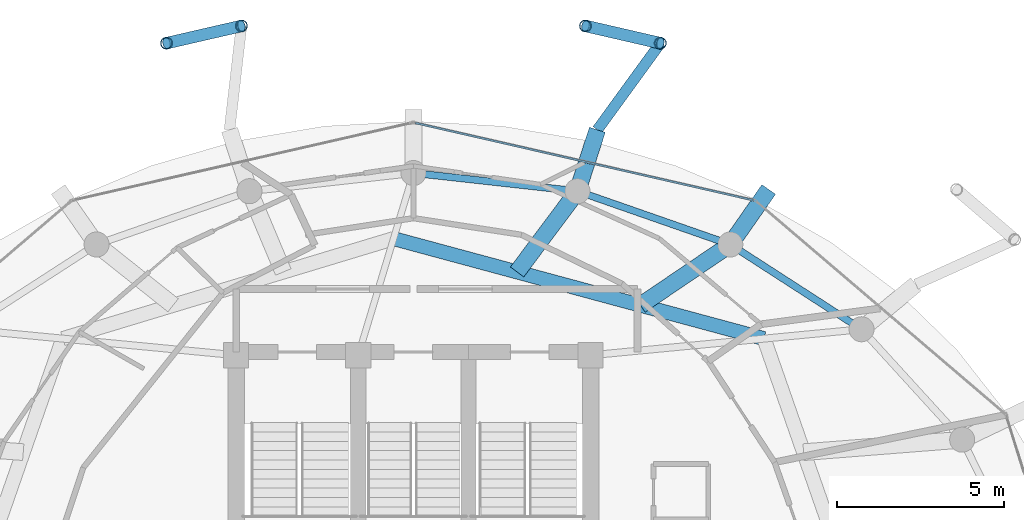
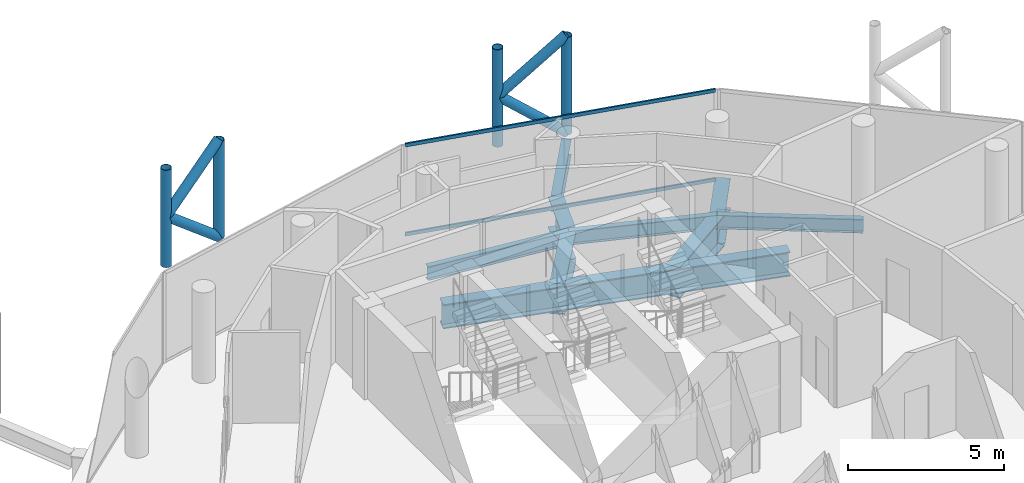
# One storey, part 18 of 25: 10 members, 9 beams, 1 element without a shape of its own.
"""IFC4 building model written with IfcOpenShell, lengths in metres."""

from ifc_helpers import new_model, si_unit, direction, frame, origin, origin_2d, place, context, subcontext, project, spatial, hollow_rectangle, hollow_circle, i_section, extrude, material, layer, layer_set, material_profile, profile_set, type_object, element, aggregate, save


model = new_model("IFC4")

# Units and contexts
model_context = context("Model", 3, precision=1e-05, world=origin(), true_north=direction((0.0, 1.0)))
body_context = subcontext(model_context, "Body", "Model", "MODEL_VIEW")
ifc_project = project(units=[si_unit("LENGTHUNIT", "METRE"), si_unit("AREAUNIT", "SQUARE_METRE"), si_unit("VOLUMEUNIT", "CUBIC_METRE"), si_unit("PLANEANGLEUNIT", "RADIAN"), si_unit("MASSUNIT", "GRAM", prefix="KILO")], contexts=[model_context])

# Site, building, storey
site_placement = place(None, origin())
site = spatial("IfcSite", under=ifc_project, at=site_placement, CompositionType="ELEMENT")
building_placement = place(site_placement, origin())
building = spatial("IfcBuilding", under=site, at=building_placement, Name="Nuhasar Tower", CompositionType="ELEMENT")
storey_placement = place(building_placement, frame((0.0, 0.0, 255.60009765625)))
storey = spatial("IfcBuildingStorey", under=building, at=storey_placement, Name="L63", CompositionType="ELEMENT", Elevation=255.60009765625)

# Beams
ifc_material_1 = material(Name="Steel S355", Category="steel")
ifc_material_profile_1 = material_profile(ifc_material_1, i_section(OverallWidth=0.2099609375, OverallDepth=0.537109375, WebThickness=0.010986328125, FlangeThickness=0.017333984375, at=origin_2d()), Name="W21X68")
ifc_profile_set_1 = profile_set([ifc_material_profile_1], Name="Steel S355")
beam_type_1 = type_object("IfcBeamType", Name="BM-RING-W21X68", PredefinedType="SPANDREL", material=ifc_profile_set_1)
beam_1_placement = place(storey_placement, frame((52.39990234375, 38.077880859375, -0.528076171875), z_axis=(-0.840001671147, 0.54258381147, 0.0), x_axis=(-0.54258381147, -0.840001671147, 0.0)))
element("IfcBeam", 1, at=beam_1_placement, inside=storey, type_object=beam_type_1, Name="L63 Perimeter Ring Spandrel 04", PredefinedType="SPANDREL", context=body_context, shape_type="SweptSolid", body=[
    extrude(i_section(OverallWidth=0.2099609375, OverallDepth=0.537109375, WebThickness=0.010986328125, FlangeThickness=0.017333984375, at=origin_2d()), origin(), (0.0, 0.0, 1.0), 4.67236328125),
])
beam_2_placement = place(storey_placement, frame((48.47509765625, 40.613037109375, -0.528076171875), z_axis=(-0.944214043504, 0.329332415729, 0.0), x_axis=(-0.329332415729, -0.944214043504, 0.0)))
element("IfcBeam", 2, at=beam_2_placement, inside=storey, type_object=beam_type_1, Name="L63 Perimeter Ring Spandrel 05", PredefinedType="SPANDREL", context=body_context, shape_type="SweptSolid", body=[
    extrude(i_section(OverallWidth=0.2099609375, OverallDepth=0.537109375, WebThickness=0.010986328125, FlangeThickness=0.017333984375, at=origin_2d()), origin(), (0.0, 0.0, 1.0), 4.840087890625),
])
beam_3_placement = place(storey_placement, frame((43.905029296875, 42.20703125, -0.528076171875), z_axis=(-0.99392889943, 0.110024283128, 0.0), x_axis=(-0.110024283128, -0.99392889943, 0.0)))
element("IfcBeam", 3, at=beam_3_placement, inside=storey, type_object=beam_type_1, Name="L63 Perimeter Ring Spandrel 06", PredefinedType="SPANDREL", context=body_context, shape_type="SweptSolid", body=[
    extrude(i_section(OverallWidth=0.2099609375, OverallDepth=0.537109375, WebThickness=0.010986328125, FlangeThickness=0.017333984375, at=origin_2d()), origin(), (0.0, 0.0, 1.0), 4.93505859375),
])
ifc_material_profile_2 = material_profile(ifc_material_1, i_section(OverallWidth=0.323974609375, OverallDepth=0.611083984375, WebThickness=0.0126953125, FlangeThickness=0.01904296875, at=origin_2d()), Name="W24X104")
ifc_profile_set_2 = profile_set([ifc_material_profile_2], Name="Steel S355")
beam_type_2 = type_object("IfcBeamType", Name="BM-TIE-W24X104", PredefinedType="BEAM", material=ifc_profile_set_2)
beam_4_placement = place(storey_placement, frame((44.5, 44.0419921875, -0.565185546875), z_axis=(0.588094663461, 0.808792103577, 0.0), x_axis=(-0.808792103577, 0.588094663461, 0.0)))
element("IfcBeam", 4, at=beam_4_placement, inside=storey, type_object=beam_type_2, Name="L63 Exoskeleton Node Tie Beam 03", PredefinedType="BEAM", context=body_context, shape_type="SweptSolid", body=[
    extrude(i_section(OverallWidth=0.323974609375, OverallDepth=0.611083984375, WebThickness=0.0126953125, FlangeThickness=0.01904296875, at=origin_2d()), origin(), (0.0, 0.0, 1.0), 3.20361328125),
])
ifc_material_2 = material(Name="Steel S460", Category="steel")
ifc_material_profile_3 = material_profile(ifc_material_2, i_section(OverallWidth=0.423095703125, OverallDepth=0.947998046875, WebThickness=0.02392578125, FlangeThickness=0.042724609375, at=origin_2d()), Name="W36X302")
ifc_profile_set_3 = profile_set([ifc_material_profile_3], Name="Steel S460")
beam_type_3 = type_object("IfcBeamType", Name="BM-TMD-W36X302", PredefinedType="USERDEFINED", material=ifc_profile_set_3)
beam_5_placement = place(storey_placement, frame((49.48388671875, 37.798095703125, -0.734130859375), z_axis=(-0.965451835482, 0.260581567584, 0.0), x_axis=(-0.260581567584, -0.965451835482, 0.0)))
element("IfcBeam", 5, at=beam_5_placement, inside=storey, type_object=beam_type_3, Name="L63 Inner Header Beam 05", ObjectType="GIRDER", PredefinedType="USERDEFINED", context=body_context, shape_type="SweptSolid", body=[
    extrude(i_section(OverallWidth=0.423095703125, OverallDepth=0.947998046875, WebThickness=0.02392578125, FlangeThickness=0.042724609375, at=origin_2d()), origin(), (0.0, 0.0, 1.0), 11.474365234375),
])
ifc_material_profile_4 = material_profile(ifc_material_2, i_section(OverallWidth=0.5, OverallDepth=1.199951171875, WebThickness=0.02587890625, FlangeThickness=0.044921875, at=origin_2d()), Name="PG1200X500")
ifc_profile_set_4 = profile_set([ifc_material_profile_4], Name="Steel S460")
beam_type_4 = type_object("IfcBeamType", Name="BM-XFER-PG1200", PredefinedType="USERDEFINED", material=ifc_profile_set_4)
beam_6_placement = place(storey_placement, frame((45.791015625, 38.794921875, -0.860107421875), z_axis=(0.82793786619, 0.56081983714, 0.0), x_axis=(-0.56081983714, 0.82793786619, 0.0)))
element("IfcBeam", 6, at=beam_6_placement, inside=storey, type_object=beam_type_4, Name="L63 Inner Column Transfer Girder 05", ObjectType="GIRDER", PredefinedType="USERDEFINED", context=body_context, shape_type="SweptSolid", body=[
    extrude(i_section(OverallWidth=0.5, OverallDepth=1.199951171875, WebThickness=0.02587890625, FlangeThickness=0.044921875, at=origin_2d()), origin(), (0.0, 0.0, 1.0), 3.241943359375),
])
beam_7_placement = place(storey_placement, frame((48.47509765625, 40.613037109375, -0.860107421875), z_axis=(0.57269500694, 0.819768521612, 0.0), x_axis=(-0.819768521612, 0.57269500694, 0.0)))
element("IfcBeam", 7, at=beam_7_placement, inside=storey, type_object=beam_type_4, Name="L63 Outer Column Step Transfer Girder 05", ObjectType="GIRDER", PredefinedType="USERDEFINED", context=body_context, shape_type="SweptSolid", body=[
    extrude(i_section(OverallWidth=0.5, OverallDepth=1.199951171875, WebThickness=0.02587890625, FlangeThickness=0.044921875, at=origin_2d()), origin(), (0.0, 0.0, 1.0), 2.0078125),
])
beam_8_placement = place(storey_placement, frame((42.09912109375, 39.791015625, -0.860107421875), z_axis=(0.598704193308, 0.800970217246, 0.0), x_axis=(-0.800970217246, 0.598704193308, 0.0)))
element("IfcBeam", 8, at=beam_8_placement, inside=storey, type_object=beam_type_4, Name="L63 Inner Column Transfer Girder 06", ObjectType="GIRDER", PredefinedType="USERDEFINED", context=body_context, shape_type="SweptSolid", body=[
    extrude(i_section(OverallWidth=0.5, OverallDepth=1.199951171875, WebThickness=0.02587890625, FlangeThickness=0.044921875, at=origin_2d()), origin(), (0.0, 0.0, 1.0), 3.016357421875),
])
beam_9_placement = place(storey_placement, frame((43.905029296875, 42.20703125, -0.860107421875), z_axis=(0.308433510834, 0.951245903746, 0.0), x_axis=(-0.951245903746, 0.308433510834, 0.0)))
element("IfcBeam", 9, at=beam_9_placement, inside=storey, type_object=beam_type_4, Name="L63 Outer Column Step Transfer Girder 06", ObjectType="GIRDER", PredefinedType="USERDEFINED", context=body_context, shape_type="SweptSolid", body=[
    extrude(i_section(OverallWidth=0.5, OverallDepth=1.199951171875, WebThickness=0.02587890625, FlangeThickness=0.044921875, at=origin_2d()), origin(), (0.0, 0.0, 1.0), 1.928955078125),
])

# Curtain wall, members
ifc_material_3 = material(Name="Aluminium 6063-T6", Category="aluminium")
ifc_layer = layer(ifc_material_3, 0.18994140625)
ifc_layer_set = layer_set([ifc_layer], Name="Aluminium 6063-T6")
curtain_wall_type = type_object("IfcCurtainWallType", Name="CW-Z4-PEN", PredefinedType="NOTDEFINED", material=ifc_layer_set)
curtain_wall_placement = place(storey_placement, origin())
curtain_wall = element("IfcCurtainWall", 10, at=curtain_wall_placement, inside=storey, type_object=curtain_wall_type, Name="L63 Unitised Curtain Wall 03", PredefinedType="NOTDEFINED")
ifc_material_profile_5 = material_profile(ifc_material_3, hollow_rectangle(XDim=0.06005859375, YDim=0.135009765625, WallThickness=0.00439453125, at=origin_2d()), Name="CWT-5")
ifc_profile_set_5 = profile_set([ifc_material_profile_5], Name="Aluminium 6063-T6")
member_type_1 = type_object("IfcMemberType", Name="CW-TRN-S5", PredefinedType="USERDEFINED", material=ifc_profile_set_5)
member_1_placement = place(storey_placement, frame((49.171630859375, 41.934326171875, 0.02978515625), z_axis=(-0.974843752401, 0.222889341163, 0.0), x_axis=(-0.222889341163, -0.974843752401, 0.0)))
member_1 = element("IfcMember", 11, at=member_1_placement, type_object=member_type_1, Name="CW-Z4 transom 1.1", ObjectType="TRANSOM", PredefinedType="USERDEFINED", context=body_context, shape_type="SweptSolid", body=[
    extrude(hollow_rectangle(XDim=0.06005859375, YDim=0.135009765625, WallThickness=0.00439453125, at=origin_2d()), origin(), (0.0, 0.0, 1.0), 10.3740234375),
])
member_2_placement = place(storey_placement, frame((49.171630859375, 41.934326171875, 3.510009765625), z_axis=(-0.974843752401, 0.222889341163, 0.0), x_axis=(-0.222889341163, -0.974843752401, 0.0)))
member_2 = element("IfcMember", 12, at=member_2_placement, type_object=member_type_1, Name="CW-Z4 transom 1.2", ObjectType="TRANSOM", PredefinedType="USERDEFINED", context=body_context, shape_type="SweptSolid", body=[
    extrude(hollow_rectangle(XDim=0.06005859375, YDim=0.135009765625, WallThickness=0.00439453125, at=origin_2d()), origin(), (0.0, 0.0, 1.0), 10.3740234375),
])
aggregate(curtain_wall, [member_1, member_2])

# Members
ifc_material_profile_6 = material_profile(ifc_material_2, hollow_circle(Radius=0.177734375, WallThickness=0.015869140625, at=origin_2d()), Name="HSS355.6X15.9")
ifc_profile_set_6 = profile_set([ifc_material_profile_6], Name="Steel S460")
member_type_2 = type_object("IfcMemberType", Name="EXO-BRONZE-356", PredefinedType="BRACE", material=ifc_profile_set_6)
for number, where, z_axis, x_axis, name in (
    (13, (46.384033203125, 46.633056640625, 0.0), (0.0, 0.0, 1.0), (1.0, 0.0, 0.0), "L63 Exoskeleton Chord Column EC-03A"),
    (14, (44.14306640625, 47.14892578125, 0.0), (0.0, 0.0, 1.0), (1.0, 0.0, 0.0), "L63 Exoskeleton Chord Column EC-03B"),
    (15, (33.85693359375, 47.14892578125, 0.0), (0.0, 0.0, 1.0), (1.0, 0.0, 0.0), "L63 Exoskeleton Chord Column EC-04A"),
    (16, (31.615966796875, 46.633056640625, 0.0), (0.0, 0.0, 1.0), (1.0, 0.0, 0.0), "L63 Exoskeleton Chord Column EC-04B"),
):
    element("IfcMember", number, at=place(storey_placement, frame(where, z_axis=z_axis, x_axis=x_axis)), inside=storey, type_object=member_type_2, Name=name, PredefinedType="BRACE", context=body_context, shape_type="SweptSolid", body=[
        extrude(hollow_circle(Radius=0.177734375, WallThickness=0.015869140625, at=origin_2d()), origin(), (0.0, 0.0, 1.0), 3.7998046875),
    ])
for number, where, z_axis, x_axis, name in (
    (17, (46.384033203125, 46.633056640625, 0.0), (-0.751271614502, 0.172942250947, 0.636931659663), (-0.224332214284, -0.974512728308, 0.0), "L63 Bronze Diagrid Brace W1-03"),
    (18, (44.14306640625, 47.14892578125, 1.89990234375), (0.751271614502, -0.172942250947, 0.636931659663), (0.224332214284, 0.974512728308, 0.0), "L63 Bronze Diagrid Brace W2-03"),
    (19, (33.85693359375, 47.14892578125, 0.0), (-0.751271614502, -0.172942250947, 0.636931659663), (0.224332214284, -0.974512728308, 0.0), "L63 Bronze Diagrid Brace W1-04"),
    (20, (31.615966796875, 46.633056640625, 1.89990234375), (0.751271614502, 0.172942250947, 0.636931659663), (-0.224332214284, 0.974512728308, 0.0), "L63 Bronze Diagrid Brace W2-04"),
):
    element("IfcMember", number, at=place(storey_placement, frame(where, z_axis=z_axis, x_axis=x_axis)), inside=storey, type_object=member_type_2, Name=name, PredefinedType="BRACE", context=body_context, shape_type="SweptSolid", body=[
        extrude(hollow_circle(Radius=0.177734375, WallThickness=0.015869140625, at=origin_2d()), origin(), (0.0, 0.0, 1.0), 2.98291015625),
    ])

save(model, "model.ifc")
